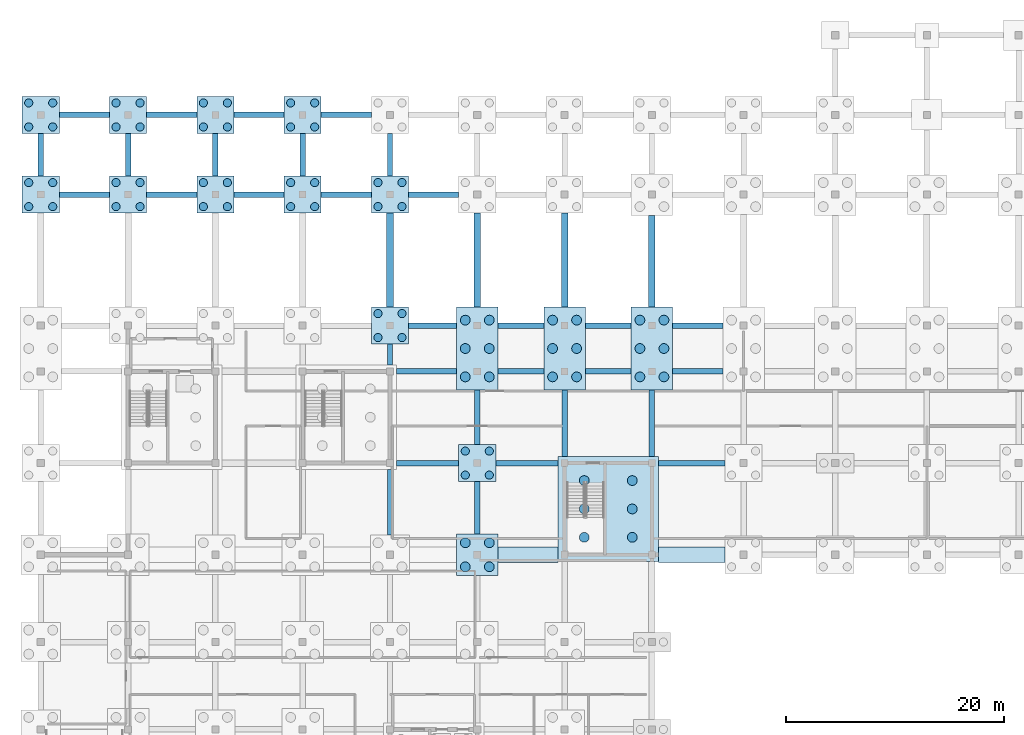
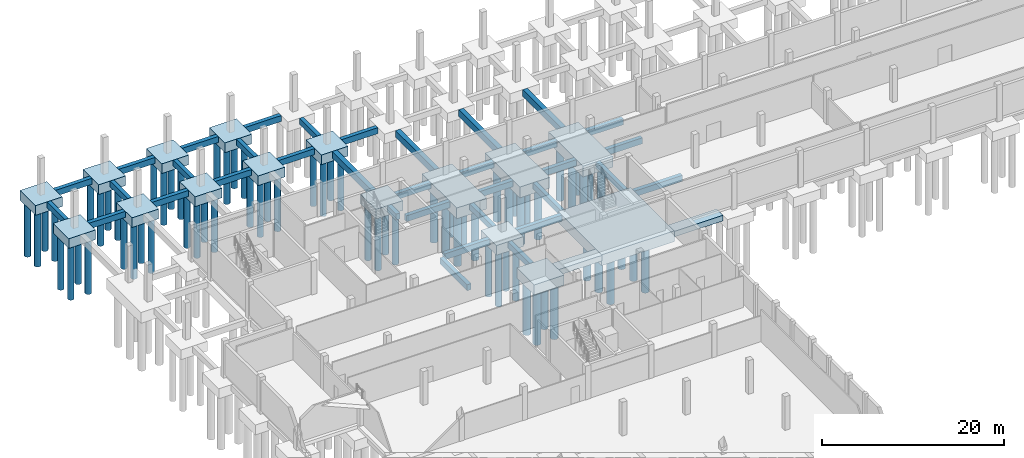
# One storey, part 5 of 22: 72 piles, 53 footings.
"""IFC4 building model written with IfcOpenShell, lengths in metres."""

from ifc_helpers import new_model, si_unit, direction, frame, origin, origin_2d, place, context, subcontext, project, spatial, polyline, rectangle, circle, outline, extrude, material, material_profile, profile_set, type_object, element, save


model = new_model("IFC4")

# Units and contexts
model_context = context("Model", 3, precision=1e-05, world=origin(), true_north=direction((0.0, 1.0)))
body_context = subcontext(model_context, "Body", "Model", "MODEL_VIEW")
ifc_project = project(units=[si_unit("LENGTHUNIT", "METRE"), si_unit("AREAUNIT", "SQUARE_METRE"), si_unit("VOLUMEUNIT", "CUBIC_METRE"), si_unit("PLANEANGLEUNIT", "RADIAN"), si_unit("MASSUNIT", "GRAM", prefix="KILO")], contexts=[model_context])

# Site, building, storey
site_placement = place(None, origin())
site = spatial("IfcSite", under=ifc_project, at=site_placement, CompositionType="ELEMENT")
building_placement = place(site_placement, origin())
building = spatial("IfcBuilding", under=site, at=building_placement, Name="Vharandega Faculty of Natural Sciences", CompositionType="ELEMENT")
storey_placement = place(building_placement, frame((0.0, 0.0, -4.5)))
storey = spatial("IfcBuildingStorey", under=building, at=storey_placement, Name="B01", CompositionType="ELEMENT", Elevation=-4.5)

# Piles
ifc_material_1 = material(Name="Concrete C35/45", Category="concrete")
ifc_material_profile_1 = material_profile(ifc_material_1, circle(Radius=0.375, at=origin_2d()), Name="PILE 750")
ifc_profile_set_1 = profile_set([ifc_material_profile_1], Name="Concrete C35/45")
pile_type_1 = type_object("IfcPileType", Name="Bored Pile 750", PredefinedType="BORED", material=ifc_profile_set_1)
for number, where, z_axis, x_axis, name in (
    (1, (-1.10009765625, 95.89990234375, -1.64990234375), (0.0, 0.0, -1.0), (1.0, 0.0, 0.0), "Bored Pile PL-1N-01"),
    (2, (1.10009765625, 95.89990234375, -1.64990234375), (0.0, 0.0, -1.0), (1.0, 0.0, 0.0), "Bored Pile PL-1N-02"),
    (3, (1.10009765625, 98.10009765625, -1.64990234375), (0.0, 0.0, -1.0), (1.0, 0.0, 0.0), "Bored Pile PL-1N-03"),
    (4, (-1.10009765625, 98.10009765625, -1.64990234375), (0.0, 0.0, -1.0), (1.0, 0.0, 0.0), "Bored Pile PL-1N-04"),
    (5, (-1.10009765625, 103.199951171875, -1.64990234375), (0.0, 0.0, -1.0), (1.0, 0.0, 0.0), "Bored Pile PL-1P-01"),
    (6, (1.10009765625, 103.199951171875, -1.64990234375), (0.0, 0.0, -1.0), (1.0, 0.0, 0.0), "Bored Pile PL-1P-02"),
    (7, (1.10009765625, 105.39990234375, -1.64990234375), (0.0, 0.0, -1.0), (1.0, 0.0, 0.0), "Bored Pile PL-1P-03"),
    (8, (-1.10009765625, 105.39990234375, -1.64990234375), (0.0, 0.0, -1.0), (1.0, 0.0, 0.0), "Bored Pile PL-1P-04"),
    (9, (6.89990234375, 95.89990234375, -1.64990234375), (0.0, 0.0, -1.0), (1.0, 0.0, 0.0), "Bored Pile PL-2N-01"),
    (10, (9.10009765625, 95.89990234375, -1.64990234375), (0.0, 0.0, -1.0), (1.0, 0.0, 0.0), "Bored Pile PL-2N-02"),
    (11, (9.10009765625, 98.10009765625, -1.64990234375), (0.0, 0.0, -1.0), (1.0, 0.0, 0.0), "Bored Pile PL-2N-03"),
    (12, (6.89990234375, 98.10009765625, -1.64990234375), (0.0, 0.0, -1.0), (1.0, 0.0, 0.0), "Bored Pile PL-2N-04"),
    (13, (6.89990234375, 103.199951171875, -1.64990234375), (0.0, 0.0, -1.0), (1.0, 0.0, 0.0), "Bored Pile PL-2P-01"),
    (14, (9.10009765625, 103.199951171875, -1.64990234375), (0.0, 0.0, -1.0), (1.0, 0.0, 0.0), "Bored Pile PL-2P-02"),
    (15, (9.10009765625, 105.39990234375, -1.64990234375), (0.0, 0.0, -1.0), (1.0, 0.0, 0.0), "Bored Pile PL-2P-03"),
    (16, (6.89990234375, 105.39990234375, -1.64990234375), (0.0, 0.0, -1.0), (1.0, 0.0, 0.0), "Bored Pile PL-2P-04"),
    (17, (14.89990234375, 95.89990234375, -1.64990234375), (0.0, 0.0, -1.0), (1.0, 0.0, 0.0), "Bored Pile PL-3N-01"),
    (18, (17.10009765625, 95.89990234375, -1.64990234375), (0.0, 0.0, -1.0), (1.0, 0.0, 0.0), "Bored Pile PL-3N-02"),
    (19, (17.10009765625, 98.10009765625, -1.64990234375), (0.0, 0.0, -1.0), (1.0, 0.0, 0.0), "Bored Pile PL-3N-03"),
    (20, (14.89990234375, 98.10009765625, -1.64990234375), (0.0, 0.0, -1.0), (1.0, 0.0, 0.0), "Bored Pile PL-3N-04"),
    (21, (14.89990234375, 103.199951171875, -1.64990234375), (0.0, 0.0, -1.0), (1.0, 0.0, 0.0), "Bored Pile PL-3P-01"),
    (22, (17.10009765625, 103.199951171875, -1.64990234375), (0.0, 0.0, -1.0), (1.0, 0.0, 0.0), "Bored Pile PL-3P-02"),
    (23, (17.10009765625, 105.39990234375, -1.64990234375), (0.0, 0.0, -1.0), (1.0, 0.0, 0.0), "Bored Pile PL-3P-03"),
    (24, (14.89990234375, 105.39990234375, -1.64990234375), (0.0, 0.0, -1.0), (1.0, 0.0, 0.0), "Bored Pile PL-3P-04"),
    (25, (22.89990234375, 95.89990234375, -1.64990234375), (0.0, 0.0, -1.0), (1.0, 0.0, 0.0), "Bored Pile PL-4N-01"),
    (26, (25.10009765625, 95.89990234375, -1.64990234375), (0.0, 0.0, -1.0), (1.0, 0.0, 0.0), "Bored Pile PL-4N-02"),
    (27, (25.10009765625, 98.10009765625, -1.64990234375), (0.0, 0.0, -1.0), (1.0, 0.0, 0.0), "Bored Pile PL-4N-03"),
    (28, (22.89990234375, 98.10009765625, -1.64990234375), (0.0, 0.0, -1.0), (1.0, 0.0, 0.0), "Bored Pile PL-4N-04"),
    (29, (22.89990234375, 103.199951171875, -1.64990234375), (0.0, 0.0, -1.0), (1.0, 0.0, 0.0), "Bored Pile PL-4P-01"),
    (30, (25.10009765625, 103.199951171875, -1.64990234375), (0.0, 0.0, -1.0), (1.0, 0.0, 0.0), "Bored Pile PL-4P-02"),
    (31, (25.10009765625, 105.39990234375, -1.64990234375), (0.0, 0.0, -1.0), (1.0, 0.0, 0.0), "Bored Pile PL-4P-03"),
    (32, (22.89990234375, 105.39990234375, -1.64990234375), (0.0, 0.0, -1.0), (1.0, 0.0, 0.0), "Bored Pile PL-4P-04"),
    (33, (30.89990234375, 83.89990234375, -1.64990234375), (0.0, 0.0, -1.0), (1.0, 0.0, 0.0), "Bored Pile PL-5M-01"),
    (34, (33.10009765625, 83.89990234375, -1.64990234375), (0.0, 0.0, -1.0), (1.0, 0.0, 0.0), "Bored Pile PL-5M-02"),
    (35, (33.10009765625, 86.10009765625, -1.64990234375), (0.0, 0.0, -1.0), (1.0, 0.0, 0.0), "Bored Pile PL-5M-03"),
    (36, (30.89990234375, 86.10009765625, -1.64990234375), (0.0, 0.0, -1.0), (1.0, 0.0, 0.0), "Bored Pile PL-5M-04"),
    (37, (30.89990234375, 95.89990234375, -1.64990234375), (0.0, 0.0, -1.0), (1.0, 0.0, 0.0), "Bored Pile PL-5N-01"),
    (38, (33.10009765625, 95.89990234375, -1.64990234375), (0.0, 0.0, -1.0), (1.0, 0.0, 0.0), "Bored Pile PL-5N-02"),
    (39, (33.10009765625, 98.10009765625, -1.64990234375), (0.0, 0.0, -1.0), (1.0, 0.0, 0.0), "Bored Pile PL-5N-03"),
    (40, (30.89990234375, 98.10009765625, -1.64990234375), (0.0, 0.0, -1.0), (1.0, 0.0, 0.0), "Bored Pile PL-5N-04"),
    (41, (38.89990234375, 71.300048828125, -1.64990234375), (0.0, 0.0, -1.0), (1.0, 0.0, 0.0), "Bored Pile PL-6K-01"),
    (42, (41.10009765625, 71.300048828125, -1.64990234375), (0.0, 0.0, -1.0), (1.0, 0.0, 0.0), "Bored Pile PL-6K-02"),
    (43, (41.10009765625, 73.5, -1.64990234375), (0.0, 0.0, -1.0), (1.0, 0.0, 0.0), "Bored Pile PL-6K-03"),
    (44, (38.89990234375, 73.5, -1.64990234375), (0.0, 0.0, -1.0), (1.0, 0.0, 0.0), "Bored Pile PL-6K-04"),
):
    element("IfcPile", number, at=place(storey_placement, frame(where, z_axis=z_axis, x_axis=x_axis)), inside=storey, type_object=pile_type_1, Name=name, PredefinedType="BORED", context=body_context, shape_type="SweptSolid", body=[
        extrude(circle(Radius=0.375, at=origin_2d()), origin(), (0.0, 0.0, 1.0), 7.35009765625),
    ])
ifc_material_2 = material(Name="Concrete C35/45", Category="concrete")
ifc_material_profile_2 = material_profile(ifc_material_2, circle(Radius=0.449951171875, at=origin_2d()), Name="PILE 900")
ifc_profile_set_2 = profile_set([ifc_material_profile_2], Name="Concrete C35/45")
pile_type_2 = type_object("IfcPileType", Name="Bored Pile 900", PredefinedType="BORED", material=ifc_profile_set_2)
for number, where, z_axis, x_axis, name in (
    (45, (49.800048828125, 65.60009765625, -1.800048828125), (0.0, 0.0, -1.0), (1.0, 0.0, 0.0), "Bored Pile PL-C5-01"),
    (46, (49.800048828125, 68.199951171875, -1.800048828125), (0.0, 0.0, -1.0), (1.0, 0.0, 0.0), "Bored Pile PL-C5-02"),
    (47, (49.800048828125, 70.800048828125, -1.800048828125), (0.0, 0.0, -1.0), (1.0, 0.0, 0.0), "Bored Pile PL-C5-03"),
    (48, (54.199951171875, 65.60009765625, -1.800048828125), (0.0, 0.0, -1.0), (1.0, 0.0, 0.0), "Bored Pile PL-C5-04"),
    (49, (54.199951171875, 68.199951171875, -1.800048828125), (0.0, 0.0, -1.0), (1.0, 0.0, 0.0), "Bored Pile PL-C5-05"),
    (50, (54.199951171875, 70.800048828125, -1.800048828125), (0.0, 0.0, -1.0), (1.0, 0.0, 0.0), "Bored Pile PL-C5-06"),
    (51, (38.89990234375, 80.300048828125, -1.800048828125), (0.0, 0.0, -1.0), (1.0, 0.0, 0.0), "Bored Pile PL-6LM-01"),
    (52, (38.89990234375, 82.89990234375, -1.800048828125), (0.0, 0.0, -1.0), (1.0, 0.0, 0.0), "Bored Pile PL-6LM-02"),
    (53, (38.89990234375, 85.5, -1.800048828125), (0.0, 0.0, -1.0), (1.0, 0.0, 0.0), "Bored Pile PL-6LM-03"),
    (54, (41.10009765625, 80.300048828125, -1.800048828125), (0.0, 0.0, -1.0), (1.0, 0.0, 0.0), "Bored Pile PL-6LM-04"),
    (55, (41.10009765625, 82.89990234375, -1.800048828125), (0.0, 0.0, -1.0), (1.0, 0.0, 0.0), "Bored Pile PL-6LM-05"),
    (56, (41.10009765625, 85.5, -1.800048828125), (0.0, 0.0, -1.0), (1.0, 0.0, 0.0), "Bored Pile PL-6LM-06"),
    (57, (46.89990234375, 80.300048828125, -1.800048828125), (0.0, 0.0, -1.0), (1.0, 0.0, 0.0), "Bored Pile PL-7LM-01"),
    (58, (46.89990234375, 82.89990234375, -1.800048828125), (0.0, 0.0, -1.0), (1.0, 0.0, 0.0), "Bored Pile PL-7LM-02"),
    (59, (46.89990234375, 85.5, -1.800048828125), (0.0, 0.0, -1.0), (1.0, 0.0, 0.0), "Bored Pile PL-7LM-03"),
    (60, (49.10009765625, 80.300048828125, -1.800048828125), (0.0, 0.0, -1.0), (1.0, 0.0, 0.0), "Bored Pile PL-7LM-04"),
    (61, (49.10009765625, 82.89990234375, -1.800048828125), (0.0, 0.0, -1.0), (1.0, 0.0, 0.0), "Bored Pile PL-7LM-05"),
    (62, (49.10009765625, 85.5, -1.800048828125), (0.0, 0.0, -1.0), (1.0, 0.0, 0.0), "Bored Pile PL-7LM-06"),
    (63, (54.89990234375, 80.300048828125, -1.800048828125), (0.0, 0.0, -1.0), (1.0, 0.0, 0.0), "Bored Pile PL-8LM-01"),
    (64, (54.89990234375, 82.89990234375, -1.800048828125), (0.0, 0.0, -1.0), (1.0, 0.0, 0.0), "Bored Pile PL-8LM-02"),
    (65, (54.89990234375, 85.5, -1.800048828125), (0.0, 0.0, -1.0), (1.0, 0.0, 0.0), "Bored Pile PL-8LM-03"),
    (66, (57.10009765625, 80.300048828125, -1.800048828125), (0.0, 0.0, -1.0), (1.0, 0.0, 0.0), "Bored Pile PL-8LM-04"),
    (67, (57.10009765625, 82.89990234375, -1.800048828125), (0.0, 0.0, -1.0), (1.0, 0.0, 0.0), "Bored Pile PL-8LM-05"),
    (68, (57.10009765625, 85.5, -1.800048828125), (0.0, 0.0, -1.0), (1.0, 0.0, 0.0), "Bored Pile PL-8LM-06"),
):
    element("IfcPile", number, at=place(storey_placement, frame(where, z_axis=z_axis, x_axis=x_axis)), inside=storey, type_object=pile_type_2, Name=name, PredefinedType="BORED", context=body_context, shape_type="SweptSolid", body=[
        extrude(circle(Radius=0.449951171875, at=origin_2d()), origin(), (0.0, 0.0, 1.0), 7.199951171875),
    ])
for number, where, z_axis, x_axis, name in (
    (69, (38.89990234375, 62.89990234375, -1.699951171875), (0.0, 0.0, -1.0), (1.0, 0.0, 0.0), "Bored Pile PL-6J-01"),
    (70, (41.10009765625, 62.89990234375, -1.699951171875), (0.0, 0.0, -1.0), (1.0, 0.0, 0.0), "Bored Pile PL-6J-02"),
    (71, (41.10009765625, 65.10009765625, -1.699951171875), (0.0, 0.0, -1.0), (1.0, 0.0, 0.0), "Bored Pile PL-6J-03"),
    (72, (38.89990234375, 65.10009765625, -1.699951171875), (0.0, 0.0, -1.0), (1.0, 0.0, 0.0), "Bored Pile PL-6J-04"),
):
    element("IfcPile", number, at=place(storey_placement, frame(where, z_axis=z_axis, x_axis=x_axis)), inside=storey, type_object=pile_type_2, Name=name, PredefinedType="BORED", context=body_context, shape_type="SweptSolid", body=[
        extrude(circle(Radius=0.449951171875, at=origin_2d()), origin(), (0.0, 0.0, 1.0), 7.300048828125),
    ])

# Footings
ifc_material_3 = material(Name="Concrete C35/45", Category="concrete")
footing_type_1 = type_object("IfcFootingType", Name="Ground Tie Beam 500x800", PredefinedType="FOOTING_BEAM", material=ifc_material_3)
footing_1_placement = place(storey_placement, frame((0.0, 0.0, -1.25)))
element("IfcFooting", 73, at=footing_1_placement, inside=storey, type_object=footing_type_1, Name="Substructure Tie FND-GB-X054", PredefinedType="FOOTING_BEAM", context=body_context, shape_type="SweptSolid", body=[
    extrude(outline(polyline([(32.60009765625, 72.14990234375), (38.300048828125, 72.14990234375), (38.300048828125, 72.64990234375), (32.60009765625, 72.64990234375), (32.60009765625, 72.14990234375)])), origin(), (0.0, 0.0, 1.0), 0.800048828125),
])
footing_2_placement = place(storey_placement, frame((0.0, 0.0, -1.25)))
element("IfcFooting", 74, at=footing_2_placement, inside=storey, type_object=footing_type_1, Name="Substructure Tie FND-GB-X055", PredefinedType="FOOTING_BEAM", context=body_context, shape_type="SweptSolid", body=[
    extrude(outline(polyline([(41.699951171875, 72.14990234375), (47.39990234375, 72.14990234375), (47.39990234375, 72.64990234375), (41.699951171875, 72.64990234375), (41.699951171875, 72.14990234375)])), origin(), (0.0, 0.0, 1.0), 0.800048828125),
])
footing_3_placement = place(storey_placement, frame((0.0, 0.0, -1.25)))
element("IfcFooting", 75, at=footing_3_placement, inside=storey, type_object=footing_type_1, Name="Substructure Tie FND-GB-X056", PredefinedType="FOOTING_BEAM", context=body_context, shape_type="SweptSolid", body=[
    extrude(outline(polyline([(56.60009765625, 72.14990234375), (62.699951171875, 72.14990234375), (62.699951171875, 72.64990234375), (56.60009765625, 72.64990234375), (56.60009765625, 72.14990234375)])), origin(), (0.0, 0.0, 1.0), 0.800048828125),
])
footing_4_placement = place(storey_placement, frame((0.0, 0.0, -1.25)))
element("IfcFooting", 76, at=footing_4_placement, inside=storey, type_object=footing_type_1, Name="Substructure Tie FND-GB-X066", PredefinedType="FOOTING_BEAM", context=body_context, shape_type="SweptSolid", body=[
    extrude(outline(polyline([(32.60009765625, 80.550048828125), (38.10009765625, 80.550048828125), (38.10009765625, 81.050048828125), (32.60009765625, 81.050048828125), (32.60009765625, 80.550048828125)])), origin(), (0.0, 0.0, 1.0), 0.800048828125),
])
footing_5_placement = place(storey_placement, frame((0.0, 0.0, -1.25)))
element("IfcFooting", 77, at=footing_5_placement, inside=storey, type_object=footing_type_1, Name="Substructure Tie FND-GB-X067", PredefinedType="FOOTING_BEAM", context=body_context, shape_type="SweptSolid", body=[
    extrude(outline(polyline([(41.89990234375, 80.550048828125), (46.10009765625, 80.550048828125), (46.10009765625, 81.050048828125), (41.89990234375, 81.050048828125), (41.89990234375, 80.550048828125)])), origin(), (0.0, 0.0, 1.0), 0.800048828125),
])
footing_6_placement = place(storey_placement, frame((0.0, 0.0, -1.25)))
element("IfcFooting", 78, at=footing_6_placement, inside=storey, type_object=footing_type_1, Name="Substructure Tie FND-GB-X068", PredefinedType="FOOTING_BEAM", context=body_context, shape_type="SweptSolid", body=[
    extrude(outline(polyline([(49.89990234375, 80.550048828125), (54.10009765625, 80.550048828125), (54.10009765625, 81.050048828125), (49.89990234375, 81.050048828125), (49.89990234375, 80.550048828125)])), origin(), (0.0, 0.0, 1.0), 0.800048828125),
])
footing_7_placement = place(storey_placement, frame((0.0, 0.0, -1.25)))
element("IfcFooting", 79, at=footing_7_placement, inside=storey, type_object=footing_type_1, Name="Substructure Tie FND-GB-X069", PredefinedType="FOOTING_BEAM", context=body_context, shape_type="SweptSolid", body=[
    extrude(outline(polyline([(57.89990234375, 80.550048828125), (62.5, 80.550048828125), (62.5, 81.050048828125), (57.89990234375, 81.050048828125), (57.89990234375, 80.550048828125)])), origin(), (0.0, 0.0, 1.0), 0.800048828125),
])
footing_8_placement = place(storey_placement, frame((0.0, 0.0, -1.25)))
element("IfcFooting", 80, at=footing_8_placement, inside=storey, type_object=footing_type_1, Name="Substructure Tie FND-GB-X083", PredefinedType="FOOTING_BEAM", context=body_context, shape_type="SweptSolid", body=[
    extrude(outline(polyline([(33.699951171875, 84.75), (38.10009765625, 84.75), (38.10009765625, 85.25), (33.699951171875, 85.25), (33.699951171875, 84.75)])), origin(), (0.0, 0.0, 1.0), 0.800048828125),
])
footing_9_placement = place(storey_placement, frame((0.0, 0.0, -1.25)))
element("IfcFooting", 81, at=footing_9_placement, inside=storey, type_object=footing_type_1, Name="Substructure Tie FND-GB-X084", PredefinedType="FOOTING_BEAM", context=body_context, shape_type="SweptSolid", body=[
    extrude(outline(polyline([(41.89990234375, 84.75), (46.10009765625, 84.75), (46.10009765625, 85.25), (41.89990234375, 85.25), (41.89990234375, 84.75)])), origin(), (0.0, 0.0, 1.0), 0.800048828125),
])
footing_10_placement = place(storey_placement, frame((0.0, 0.0, -1.25)))
element("IfcFooting", 82, at=footing_10_placement, inside=storey, type_object=footing_type_1, Name="Substructure Tie FND-GB-X085", PredefinedType="FOOTING_BEAM", context=body_context, shape_type="SweptSolid", body=[
    extrude(outline(polyline([(49.89990234375, 84.75), (54.10009765625, 84.75), (54.10009765625, 85.25), (49.89990234375, 85.25), (49.89990234375, 84.75)])), origin(), (0.0, 0.0, 1.0), 0.800048828125),
])
footing_11_placement = place(storey_placement, frame((0.0, 0.0, -1.25)))
element("IfcFooting", 83, at=footing_11_placement, inside=storey, type_object=footing_type_1, Name="Substructure Tie FND-GB-X086", PredefinedType="FOOTING_BEAM", context=body_context, shape_type="SweptSolid", body=[
    extrude(outline(polyline([(57.89990234375, 84.75), (62.5, 84.75), (62.5, 85.25), (57.89990234375, 85.25), (57.89990234375, 84.75)])), origin(), (0.0, 0.0, 1.0), 0.800048828125),
])
footing_12_placement = place(storey_placement, frame((0.0, 0.0, -1.25)))
element("IfcFooting", 84, at=footing_12_placement, inside=storey, type_object=footing_type_1, Name="Substructure Tie FND-GB-X099", PredefinedType="FOOTING_BEAM", context=body_context, shape_type="SweptSolid", body=[
    extrude(outline(polyline([(1.699951171875, 96.75), (6.300048828125, 96.75), (6.300048828125, 97.25), (1.699951171875, 97.25), (1.699951171875, 96.75)])), origin(), (0.0, 0.0, 1.0), 0.800048828125),
])
footing_13_placement = place(storey_placement, frame((0.0, 0.0, -1.25)))
element("IfcFooting", 85, at=footing_13_placement, inside=storey, type_object=footing_type_1, Name="Substructure Tie FND-GB-X100", PredefinedType="FOOTING_BEAM", context=body_context, shape_type="SweptSolid", body=[
    extrude(outline(polyline([(9.699951171875, 96.75), (14.300048828125, 96.75), (14.300048828125, 97.25), (9.699951171875, 97.25), (9.699951171875, 96.75)])), origin(), (0.0, 0.0, 1.0), 0.800048828125),
])
footing_14_placement = place(storey_placement, frame((0.0, 0.0, -1.25)))
element("IfcFooting", 86, at=footing_14_placement, inside=storey, type_object=footing_type_1, Name="Substructure Tie FND-GB-X101", PredefinedType="FOOTING_BEAM", context=body_context, shape_type="SweptSolid", body=[
    extrude(outline(polyline([(17.699951171875, 96.75), (22.300048828125, 96.75), (22.300048828125, 97.25), (17.699951171875, 97.25), (17.699951171875, 96.75)])), origin(), (0.0, 0.0, 1.0), 0.800048828125),
])
footing_15_placement = place(storey_placement, frame((0.0, 0.0, -1.25)))
element("IfcFooting", 87, at=footing_15_placement, inside=storey, type_object=footing_type_1, Name="Substructure Tie FND-GB-X102", PredefinedType="FOOTING_BEAM", context=body_context, shape_type="SweptSolid", body=[
    extrude(outline(polyline([(25.699951171875, 96.75), (30.300048828125, 96.75), (30.300048828125, 97.25), (25.699951171875, 97.25), (25.699951171875, 96.75)])), origin(), (0.0, 0.0, 1.0), 0.800048828125),
])
footing_16_placement = place(storey_placement, frame((0.0, 0.0, -1.25)))
element("IfcFooting", 88, at=footing_16_placement, inside=storey, type_object=footing_type_1, Name="Substructure Tie FND-GB-X103", PredefinedType="FOOTING_BEAM", context=body_context, shape_type="SweptSolid", body=[
    extrude(outline(polyline([(33.699951171875, 96.75), (38.300048828125, 96.75), (38.300048828125, 97.25), (33.699951171875, 97.25), (33.699951171875, 96.75)])), origin(), (0.0, 0.0, 1.0), 0.800048828125),
])
footing_17_placement = place(storey_placement, frame((0.0, 0.0, -1.25)))
element("IfcFooting", 89, at=footing_17_placement, inside=storey, type_object=footing_type_1, Name="Substructure Tie FND-GB-X113", PredefinedType="FOOTING_BEAM", context=body_context, shape_type="SweptSolid", body=[
    extrude(outline(polyline([(1.699951171875, 104.050048828125), (6.300048828125, 104.050048828125), (6.300048828125, 104.550048828125), (1.699951171875, 104.550048828125), (1.699951171875, 104.050048828125)])), origin(), (0.0, 0.0, 1.0), 0.800048828125),
])
footing_18_placement = place(storey_placement, frame((0.0, 0.0, -1.25)))
element("IfcFooting", 90, at=footing_18_placement, inside=storey, type_object=footing_type_1, Name="Substructure Tie FND-GB-X114", PredefinedType="FOOTING_BEAM", context=body_context, shape_type="SweptSolid", body=[
    extrude(outline(polyline([(9.699951171875, 104.050048828125), (14.300048828125, 104.050048828125), (14.300048828125, 104.550048828125), (9.699951171875, 104.550048828125), (9.699951171875, 104.050048828125)])), origin(), (0.0, 0.0, 1.0), 0.800048828125),
])
footing_19_placement = place(storey_placement, frame((0.0, 0.0, -1.25)))
element("IfcFooting", 91, at=footing_19_placement, inside=storey, type_object=footing_type_1, Name="Substructure Tie FND-GB-X115", PredefinedType="FOOTING_BEAM", context=body_context, shape_type="SweptSolid", body=[
    extrude(outline(polyline([(17.699951171875, 104.050048828125), (22.300048828125, 104.050048828125), (22.300048828125, 104.550048828125), (17.699951171875, 104.550048828125), (17.699951171875, 104.050048828125)])), origin(), (0.0, 0.0, 1.0), 0.800048828125),
])
footing_20_placement = place(storey_placement, frame((0.0, 0.0, -1.25)))
element("IfcFooting", 92, at=footing_20_placement, inside=storey, type_object=footing_type_1, Name="Substructure Tie FND-GB-X116", PredefinedType="FOOTING_BEAM", context=body_context, shape_type="SweptSolid", body=[
    extrude(outline(polyline([(25.699951171875, 104.050048828125), (30.300048828125, 104.050048828125), (30.300048828125, 104.550048828125), (25.699951171875, 104.550048828125), (25.699951171875, 104.050048828125)])), origin(), (0.0, 0.0, 1.0), 0.800048828125),
])
footing_21_placement = place(storey_placement, frame((0.0, 0.0, -1.25)))
element("IfcFooting", 93, at=footing_21_placement, inside=storey, type_object=footing_type_1, Name="Substructure Tie FND-GB-Y137", PredefinedType="FOOTING_BEAM", context=body_context, shape_type="SweptSolid", body=[
    extrude(outline(polyline([(-0.25, 98.699951171875), (0.25, 98.699951171875), (0.25, 102.60009765625), (-0.25, 102.60009765625), (-0.25, 98.699951171875)])), origin(), (0.0, 0.0, 1.0), 0.800048828125),
])
footing_22_placement = place(storey_placement, frame((0.0, 0.0, -1.25)))
element("IfcFooting", 94, at=footing_22_placement, inside=storey, type_object=footing_type_1, Name="Substructure Tie FND-GB-Y149", PredefinedType="FOOTING_BEAM", context=body_context, shape_type="SweptSolid", body=[
    extrude(outline(polyline([(7.75, 98.699951171875), (8.25, 98.699951171875), (8.25, 102.60009765625), (7.75, 102.60009765625), (7.75, 98.699951171875)])), origin(), (0.0, 0.0, 1.0), 0.800048828125),
])
footing_23_placement = place(storey_placement, frame((0.0, 0.0, -1.25)))
element("IfcFooting", 95, at=footing_23_placement, inside=storey, type_object=footing_type_1, Name="Substructure Tie FND-GB-Y161", PredefinedType="FOOTING_BEAM", context=body_context, shape_type="SweptSolid", body=[
    extrude(outline(polyline([(15.75, 98.699951171875), (16.25, 98.699951171875), (16.25, 102.60009765625), (15.75, 102.60009765625), (15.75, 98.699951171875)])), origin(), (0.0, 0.0, 1.0), 0.800048828125),
])
footing_24_placement = place(storey_placement, frame((0.0, 0.0, -1.25)))
element("IfcFooting", 96, at=footing_24_placement, inside=storey, type_object=footing_type_1, Name="Substructure Tie FND-GB-Y173", PredefinedType="FOOTING_BEAM", context=body_context, shape_type="SweptSolid", body=[
    extrude(outline(polyline([(23.75, 98.699951171875), (24.25, 98.699951171875), (24.25, 102.60009765625), (23.75, 102.60009765625), (23.75, 98.699951171875)])), origin(), (0.0, 0.0, 1.0), 0.800048828125),
])
footing_25_placement = place(storey_placement, frame((0.0, 0.0, -1.25)))
element("IfcFooting", 97, at=footing_25_placement, inside=storey, type_object=footing_type_1, Name="Substructure Tie FND-GB-Y181", PredefinedType="FOOTING_BEAM", context=body_context, shape_type="SweptSolid", body=[
    extrude(outline(polyline([(31.75, 65.800048828125), (32.25, 65.800048828125), (32.25, 71.800048828125), (31.75, 71.800048828125), (31.75, 65.800048828125)])), origin(), (0.0, 0.0, 1.0), 0.800048828125),
])
footing_26_placement = place(storey_placement, frame((0.0, 0.0, -1.25)))
element("IfcFooting", 98, at=footing_26_placement, inside=storey, type_object=footing_type_1, Name="Substructure Tie FND-GB-Y182", PredefinedType="FOOTING_BEAM", context=body_context, shape_type="SweptSolid", body=[
    extrude(outline(polyline([(31.75, 81.39990234375), (32.25, 81.39990234375), (32.25, 83.300048828125), (31.75, 83.300048828125), (31.75, 81.39990234375)])), origin(), (0.0, 0.0, 1.0), 0.800048828125),
])
footing_27_placement = place(storey_placement, frame((0.0, 0.0, -1.25)))
element("IfcFooting", 99, at=footing_27_placement, inside=storey, type_object=footing_type_1, Name="Substructure Tie FND-GB-Y184", PredefinedType="FOOTING_BEAM", context=body_context, shape_type="SweptSolid", body=[
    extrude(outline(polyline([(31.75, 98.699951171875), (32.25, 98.699951171875), (32.25, 102.60009765625), (31.75, 102.60009765625), (31.75, 98.699951171875)])), origin(), (0.0, 0.0, 1.0), 0.800048828125),
])
footing_28_placement = place(storey_placement, frame((0.0, 0.0, -1.25)))
element("IfcFooting", 100, at=footing_28_placement, inside=storey, type_object=footing_type_1, Name="Substructure Tie FND-GB-Y192", PredefinedType="FOOTING_BEAM", context=body_context, shape_type="SweptSolid", body=[
    extrude(outline(polyline([(39.75, 65.89990234375), (40.25, 65.89990234375), (40.25, 70.699951171875), (39.75, 70.699951171875), (39.75, 65.89990234375)])), origin(), (0.0, 0.0, 1.0), 0.800048828125),
])
footing_29_placement = place(storey_placement, frame((0.0, 0.0, -1.25)))
element("IfcFooting", 101, at=footing_29_placement, inside=storey, type_object=footing_type_1, Name="Substructure Tie FND-GB-Y193", PredefinedType="FOOTING_BEAM", context=body_context, shape_type="SweptSolid", body=[
    extrude(outline(polyline([(39.75, 74.10009765625), (40.25, 74.10009765625), (40.25, 79.10009765625), (39.75, 79.10009765625), (39.75, 74.10009765625)])), origin(), (0.0, 0.0, 1.0), 0.800048828125),
])
footing_30_placement = place(storey_placement, frame((0.0, 0.0, -1.25)))
element("IfcFooting", 102, at=footing_30_placement, inside=storey, type_object=footing_type_1, Name="Substructure Tie FND-GB-Y204", PredefinedType="FOOTING_BEAM", context=body_context, shape_type="SweptSolid", body=[
    extrude(outline(polyline([(47.75, 73.0), (48.25, 73.0), (48.25, 79.10009765625), (47.75, 79.10009765625), (47.75, 73.0)])), origin(), (0.0, 0.0, 1.0), 0.800048828125),
])
footing_31_placement = place(storey_placement, frame((0.0, 0.0, -1.25)))
element("IfcFooting", 103, at=footing_31_placement, inside=storey, type_object=footing_type_1, Name="Substructure Tie FND-GB-Y215", PredefinedType="FOOTING_BEAM", context=body_context, shape_type="SweptSolid", body=[
    extrude(outline(polyline([(55.75, 73.0), (56.25, 73.0), (56.25, 79.10009765625), (55.75, 79.10009765625), (55.75, 73.0)])), origin(), (0.0, 0.0, 1.0), 0.800048828125),
])
ifc_material_4 = material(Name="Concrete C35/45", Category="concrete")
footing_type_2 = type_object("IfcFootingType", Name="Ground Tie Beam 600x900", PredefinedType="FOOTING_BEAM", material=ifc_material_4)
footing_32_placement = place(storey_placement, frame((0.0, 0.0, -1.35009765625)))
element("IfcFooting", 104, at=footing_32_placement, inside=storey, type_object=footing_type_2, Name="Substructure Tie FND-GB-Y183", PredefinedType="FOOTING_BEAM", context=body_context, shape_type="SweptSolid", body=[
    extrude(outline(polyline([(31.699951171875, 86.699951171875), (32.300048828125, 86.699951171875), (32.300048828125, 95.300048828125), (31.699951171875, 95.300048828125), (31.699951171875, 86.699951171875)])), origin(), (0.0, 0.0, 1.0), 0.900146484375),
])
footing_33_placement = place(storey_placement, frame((0.0, 0.0, -1.35009765625)))
element("IfcFooting", 105, at=footing_33_placement, inside=storey, type_object=footing_type_2, Name="Substructure Tie FND-GB-Y194", PredefinedType="FOOTING_BEAM", context=body_context, shape_type="SweptSolid", body=[
    extrude(outline(polyline([(39.699951171875, 86.699951171875), (40.300048828125, 86.699951171875), (40.300048828125, 95.300048828125), (39.699951171875, 95.300048828125), (39.699951171875, 86.699951171875)])), origin(), (0.0, 0.0, 1.0), 0.900146484375),
])
footing_34_placement = place(storey_placement, frame((0.0, 0.0, -1.35009765625)))
element("IfcFooting", 106, at=footing_34_placement, inside=storey, type_object=footing_type_2, Name="Substructure Tie FND-GB-Y205", PredefinedType="FOOTING_BEAM", context=body_context, shape_type="SweptSolid", body=[
    extrude(outline(polyline([(47.699951171875, 86.699951171875), (48.300048828125, 86.699951171875), (48.300048828125, 95.300048828125), (47.699951171875, 95.300048828125), (47.699951171875, 86.699951171875)])), origin(), (0.0, 0.0, 1.0), 0.900146484375),
])
footing_35_placement = place(storey_placement, frame((0.0, 0.0, -1.35009765625)))
element("IfcFooting", 107, at=footing_35_placement, inside=storey, type_object=footing_type_2, Name="Substructure Tie FND-GB-Y216", PredefinedType="FOOTING_BEAM", context=body_context, shape_type="SweptSolid", body=[
    extrude(outline(polyline([(55.699951171875, 86.699951171875), (56.300048828125, 86.699951171875), (56.300048828125, 95.10009765625), (55.699951171875, 95.10009765625), (55.699951171875, 86.699951171875)])), origin(), (0.0, 0.0, 1.0), 0.900146484375),
])
ifc_material_5 = material(Name="Concrete C35/45", Category="concrete")
footing_type_3 = type_object("IfcFootingType", Name="Party Wall Strip Footing 1400x750", PredefinedType="STRIP_FOOTING", material=ifc_material_5)
footing_36_placement = place(storey_placement, frame((0.0, 0.0, -1.199951171875)))
element("IfcFooting", 108, at=footing_36_placement, inside=storey, type_object=footing_type_3, Name="Substructure Tie FND-SF-X013", PredefinedType="STRIP_FOOTING", context=body_context, shape_type="SweptSolid", body=[
    extrude(outline(polyline([(41.89990234375, 63.300048828125), (47.39990234375, 63.300048828125), (47.39990234375, 64.699951171875), (41.89990234375, 64.699951171875), (41.89990234375, 63.300048828125)])), origin(), (0.0, 0.0, 1.0), 0.75),
])
footing_37_placement = place(storey_placement, frame((0.0, 0.0, -1.199951171875)))
element("IfcFooting", 109, at=footing_37_placement, inside=storey, type_object=footing_type_3, Name="Substructure Tie FND-SF-X014", PredefinedType="STRIP_FOOTING", context=body_context, shape_type="SweptSolid", body=[
    extrude(outline(polyline([(56.60009765625, 63.300048828125), (62.699951171875, 63.300048828125), (62.699951171875, 64.699951171875), (56.60009765625, 64.699951171875), (56.60009765625, 63.300048828125)])), origin(), (0.0, 0.0, 1.0), 0.75),
])
ifc_material_6 = material(Name="Concrete C35/45", Category="concrete")
footing_type_4 = type_object("IfcFootingType", Name="Pile Cap 4P 3400x3400x1300", PredefinedType="PILE_CAP", material=ifc_material_6)
for number, where, z_axis, x_axis, name in (
    (110, (0.0, 97.0, -1.75), (0.0, 0.0, 1.0), (1.0, 0.0, 0.0), "Pile Cap 1/N"),
    (111, (0.0, 104.300048828125, -1.75), (0.0, 0.0, 1.0), (1.0, 0.0, 0.0), "Pile Cap 1/P"),
    (112, (8.0, 97.0, -1.75), (0.0, 0.0, 1.0), (1.0, 0.0, 0.0), "Pile Cap 2/N"),
    (113, (8.0, 104.300048828125, -1.75), (0.0, 0.0, 1.0), (1.0, 0.0, 0.0), "Pile Cap 2/P"),
    (114, (16.0, 97.0, -1.75), (0.0, 0.0, 1.0), (1.0, 0.0, 0.0), "Pile Cap 3/N"),
    (115, (16.0, 104.300048828125, -1.75), (0.0, 0.0, 1.0), (1.0, 0.0, 0.0), "Pile Cap 3/P"),
    (116, (24.0, 97.0, -1.75), (0.0, 0.0, 1.0), (1.0, 0.0, 0.0), "Pile Cap 4/N"),
    (117, (24.0, 104.300048828125, -1.75), (0.0, 0.0, 1.0), (1.0, 0.0, 0.0), "Pile Cap 4/P"),
    (118, (32.0, 85.0, -1.75), (0.0, 0.0, 1.0), (1.0, 0.0, 0.0), "Pile Cap 5/M"),
    (119, (32.0, 97.0, -1.75), (0.0, 0.0, 1.0), (1.0, 0.0, 0.0), "Pile Cap 5/N"),
    (120, (40.0, 72.39990234375, -1.75), (0.0, 0.0, 1.0), (1.0, 0.0, 0.0), "Pile Cap 6/K"),
):
    element("IfcFooting", number, at=place(storey_placement, frame(where, z_axis=z_axis, x_axis=x_axis)), inside=storey, type_object=footing_type_4, Name=name, PredefinedType="PILE_CAP", context=body_context, shape_type="SweptSolid", body=[
        extrude(rectangle(XDim=3.39990234375, YDim=3.39990234375, at=origin_2d()), origin(), (0.0, 0.0, 1.0), 1.300048828125),
    ])
ifc_material_7 = material(Name="Concrete C35/45", Category="concrete")
footing_type_5 = type_object("IfcFootingType", Name="Pile Cap 4P 3800x3800x1350", PredefinedType="PILE_CAP", material=ifc_material_7)
footing_38_placement = place(storey_placement, frame((40.0, 64.0, -1.800048828125), z_axis=(0.0, 0.0, 1.0), x_axis=(1.0, 0.0, 0.0)))
element("IfcFooting", 121, at=footing_38_placement, inside=storey, type_object=footing_type_5, Name="Pile Cap 6/J", PredefinedType="PILE_CAP", context=body_context, shape_type="SweptSolid", body=[
    extrude(rectangle(XDim=3.800048828125, YDim=3.800048828125, at=origin_2d()), origin(), (0.0, 0.0, 1.0), 1.35009765625),
])
ifc_material_8 = material(Name="Concrete C35/45", Category="concrete")
footing_type_6 = type_object("IfcFootingType", Name="Pile Cap 6P Combined 3800x7600x1450", PredefinedType="PILE_CAP", material=ifc_material_8)
for number, where, z_axis, x_axis, name in (
    (122, (40.0, 82.89990234375, -1.89990234375), (0.0, 0.0, 1.0), (1.0, 0.0, 0.0), "Combined Pile Cap 6/L-M"),
    (123, (48.0, 82.89990234375, -1.89990234375), (0.0, 0.0, 1.0), (1.0, 0.0, 0.0), "Combined Pile Cap 7/L-M"),
    (124, (56.0, 82.89990234375, -1.89990234375), (0.0, 0.0, 1.0), (1.0, 0.0, 0.0), "Combined Pile Cap 8/L-M"),
):
    element("IfcFooting", number, at=place(storey_placement, frame(where, z_axis=z_axis, x_axis=x_axis)), inside=storey, type_object=footing_type_6, Name=name, PredefinedType="PILE_CAP", context=body_context, shape_type="SweptSolid", body=[
        extrude(rectangle(XDim=3.800048828125, YDim=7.60009765625, at=origin_2d()), origin(), (0.0, 0.0, 1.0), 1.449951171875),
    ])
ifc_material_9 = material(Name="Concrete C35/45", Category="concrete")
footing_type_7 = type_object("IfcFootingType", Name="Pile Cap 6P Core C4 9200x9600x1450", PredefinedType="PILE_CAP", material=ifc_material_9)
footing_39_placement = place(storey_placement, frame((52.0, 68.199951171875, -1.89990234375), z_axis=(0.0, 0.0, 1.0), x_axis=(1.0, 0.0, 0.0)))
element("IfcFooting", 125, at=footing_39_placement, inside=storey, type_object=footing_type_7, Name="Core Pile Cap C5", PredefinedType="PILE_CAP", context=body_context, shape_type="SweptSolid", body=[
    extrude(rectangle(XDim=9.199951171875, YDim=9.60009765625, at=origin_2d()), origin(), (0.0, 0.0, 1.0), 1.449951171875),
])

save(model, "model.ifc")
